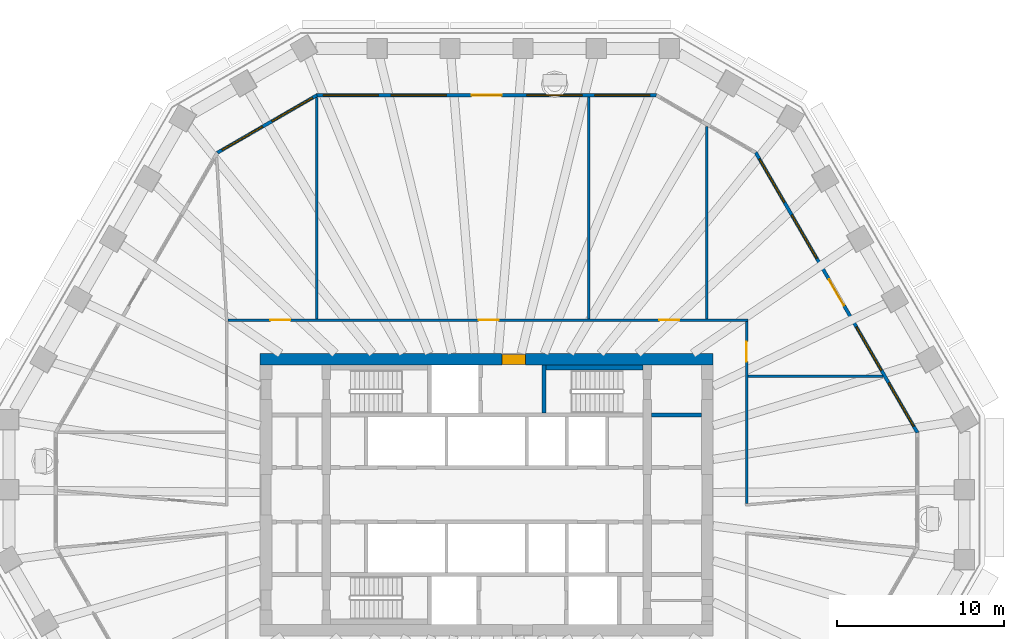
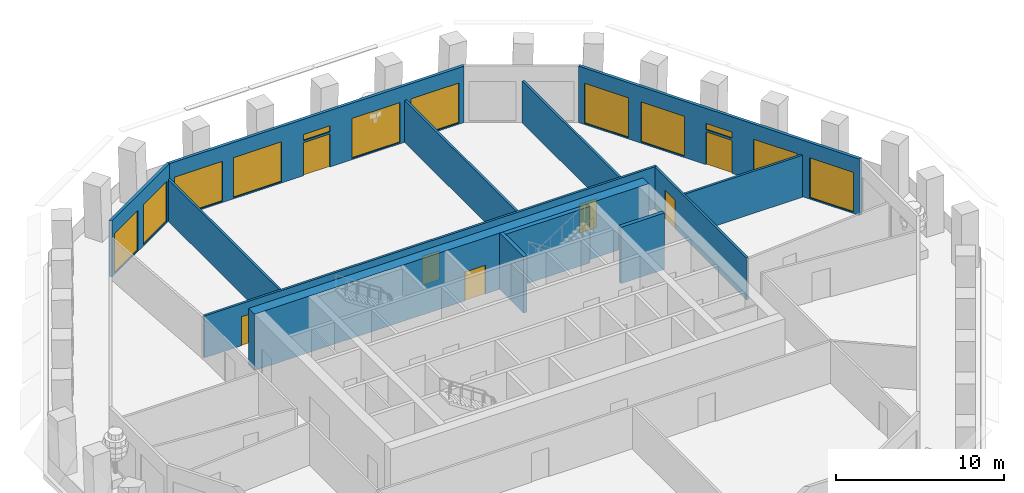
# One storey, part 7 of 12: 13 walls, 12 windows, 7 doors, 19 openings.
"""IFC4 building model written with IfcOpenShell, lengths in metres."""

from ifc_helpers import new_model, si_unit, direction, frame, frame_2d, origin, place, context, subcontext, project, spatial, polyline, rectangle, outline, extrude, material, layer, layer_set, type_object, element, fill, save


model = new_model("IFC4")

# Units and contexts
model_context = context("Model", 3, precision=1e-05, world=origin(), true_north=direction((0.0, 1.0)))
body_context = subcontext(model_context, "Body", "Model", "MODEL_VIEW")
ifc_project = project(units=[si_unit("LENGTHUNIT", "METRE"), si_unit("AREAUNIT", "SQUARE_METRE"), si_unit("VOLUMEUNIT", "CUBIC_METRE"), si_unit("PLANEANGLEUNIT", "RADIAN"), si_unit("MASSUNIT", "GRAM", prefix="KILO")], contexts=[model_context])

# Site, building, storey
site_placement = place(None, origin())
site = spatial("IfcSite", under=ifc_project, at=site_placement, CompositionType="ELEMENT")
building_placement = place(site_placement, origin())
building = spatial("IfcBuilding", under=site, at=building_placement, Name="Frailejon Research Tower", CompositionType="ELEMENT")
storey_placement = place(building_placement, frame((0.0, 0.0, 154.0)))
storey = spatial("IfcBuildingStorey", under=building, at=storey_placement, Name="L33", CompositionType="ELEMENT", Elevation=154.0)

# Wall, opening, door
ifc_material_1 = material(Name="Concrete C60/75", Category="concrete")
ifc_layer_1 = layer(ifc_material_1, 0.699951171875)
ifc_layer_set_1 = layer_set([ifc_layer_1], Name="Core shear wall 700 C60/75")
wall_type_1 = type_object("IfcWallType", Name="Core shear wall 700 C60/75", PredefinedType="SHEAR", material=ifc_layer_set_1)
wall_1_placement = place(storey_placement, frame((-13.550048828125, 8.10009765625, 0.0), z_axis=(0.0, 0.0, 1.0), x_axis=(1.0, 0.0, 0.0)))
wall_1 = element("IfcWall", 1, at=wall_1_placement, inside=storey, type_object=wall_type_1, Name="Core shear wall", PredefinedType="SHEAR", context=body_context, shape_type="SweptSolid", body=[
    extrude(rectangle(XDim=27.10009765625, YDim=0.699951171875, at=frame_2d((13.550048828125, 0.0))), origin(), (0.0, 0.0, 1.0), 4.10009765625),
])
opening_1_placement = place(wall_1_placement, frame((14.47509765625, 0.0, 0.0)))
opening_1 = element("IfcOpeningElement", 2, at=opening_1_placement, cuts=wall_1, Name="Opening D9", PredefinedType="OPENING", context=body_context, shape_type="SweptSolid", body=[
    extrude(rectangle(XDim=1.39990234375, YDim=2.10009765625, at=frame_2d((0.699951171875, 1.050048828125))), frame((0.0, 0.35986328125, 0.0), z_axis=(0.0, -1.0, 0.0), x_axis=(1.0, 0.0, 0.0)), (0.0, 0.0, 1.0), 0.719970703125),
])
ifc_material_2 = material(Name="Steel", Category="steel")
door_type_1 = type_object("IfcDoorType", Name="Goods lobby door", OperationType="DOUBLE_DOOR_SINGLE_SWING", PredefinedType="DOOR", material=ifc_material_2)
door_1_placement = place(opening_1_placement, origin())
door_1 = element("IfcDoor", 3, at=door_1_placement, inside=storey, type_object=door_type_1, Name="Goods lobby door", OperationType="DOUBLE_DOOR_SINGLE_SWING", OverallHeight=2.10009765625, OverallWidth=1.39990234375, PredefinedType="DOOR", context=body_context, shape_type="SweptSolid", body=[
    extrude(rectangle(XDim=1.39990234375, YDim=2.10009765625, at=frame_2d((0.699951171875, 1.050048828125))), frame((0.0, 0.300048828125, 0.0), z_axis=(0.0, -1.0, 0.0), x_axis=(1.0, 0.0, 0.0)), (0.0, 0.0, 1.0), 0.60009765625),
])
fill(opening_1, door_1)

ifc_material_3 = material(Name="Gypsum board and masonry partition", Category="masonry")
ifc_layer_2 = layer(ifc_material_3, 0.14990234375)
ifc_layer_set_2 = layer_set([ifc_layer_2], Name="Corridor wall EI 60, gypsum on steel studs 150")
wall_type_2 = type_object("IfcWallType", Name="Corridor wall EI 60, gypsum on steel studs 150", PredefinedType="PARTITIONING", material=ifc_layer_set_2)
wall_2_placement = place(storey_placement, frame((15.550048828125, -0.530517578125, 0.0), z_axis=(0.0, 0.0, 1.0), x_axis=(0.0, 1.0, 0.0)))
wall_2 = element("IfcWall", 4, at=wall_2_placement, inside=storey, type_object=wall_type_2, Name="T:IW:L33:004", PredefinedType="PARTITIONING", context=body_context, shape_type="SweptSolid", body=[
    extrude(rectangle(XDim=10.905517578125, YDim=0.14990234375, at=frame_2d((5.45263671875, 0.0))), origin(), (0.0, 0.0, 1.0), 3.050048828125),
])
opening_2_placement = place(wall_2_placement, frame((8.48779296875, 0.0, 0.0)))
opening_2 = element("IfcOpeningElement", 5, at=opening_2_placement, cuts=wall_2, Name="Opening D1722", PredefinedType="OPENING", context=body_context, shape_type="SweptSolid", body=[
    extrude(rectangle(XDim=1.199951171875, YDim=2.10009765625, at=frame_2d((0.60009765625, 1.050048828125))), frame((0.0, 0.0849609375, 0.0), z_axis=(0.0, -1.0, 0.0), x_axis=(1.0, 0.0, 0.0)), (0.0, 0.0, 1.0), 0.169921875),
])
ifc_material_4 = material(Name="Timber door leaf", Category="wood")
door_type_2 = type_object("IfcDoorType", Name="Door laboratory, timber, vision panel 1200", OperationType="NOTDEFINED", PredefinedType="DOOR", material=ifc_material_4)
door_2_placement = place(opening_2_placement, origin())
door_2 = element("IfcDoor", 6, at=door_2_placement, inside=storey, type_object=door_type_2, Name="D1722", OperationType="DOUBLE_DOOR_SINGLE_SWING", OverallHeight=2.10009765625, OverallWidth=1.199951171875, PredefinedType="DOOR", context=body_context, shape_type="SweptSolid", body=[
    extrude(rectangle(XDim=1.199951171875, YDim=2.10009765625, at=frame_2d((0.60009765625, 1.050048828125))), frame((0.0, 0.02490234375, 0.0), z_axis=(0.0, -1.0, 0.0), x_axis=(1.0, 0.0, 0.0)), (0.0, 0.0, 1.0), 0.050048828125),
])
fill(opening_2, door_2)

# Wall, openings, doors
wall_3_placement = place(storey_placement, frame((-15.47509765625, 10.449951171875, 0.0), z_axis=(0.0, 0.0, 1.0), x_axis=(1.0, 0.0, 0.0)))
wall_3 = element("IfcWall", 7, at=wall_3_placement, inside=storey, type_object=wall_type_2, Name="T:IW:L33:005", PredefinedType="PARTITIONING", context=body_context, shape_type="SweptSolid", body=[
    extrude(rectangle(XDim=31.10009765625, YDim=0.14990234375, at=frame_2d((15.550048828125, 0.0))), origin(), (0.0, 0.0, 1.0), 3.050048828125),
])
opening_3_placement = place(wall_3_placement, frame((25.80810546875, 0.0, 0.0)))
opening_3 = element("IfcOpeningElement", 8, at=opening_3_placement, cuts=wall_3, Name="Opening D1723", PredefinedType="OPENING", context=body_context, shape_type="SweptSolid", body=[
    extrude(rectangle(XDim=1.199951171875, YDim=2.10009765625, at=frame_2d((0.60009765625, 1.050048828125))), frame((0.0, 0.0849609375, 0.0), z_axis=(0.0, -1.0, 0.0), x_axis=(1.0, 0.0, 0.0)), (0.0, 0.0, 1.0), 0.169921875),
])
opening_4_placement = place(wall_3_placement, frame((14.9970703125, 0.0, 0.0)))
opening_4 = element("IfcOpeningElement", 9, at=opening_4_placement, cuts=wall_3, Name="Opening D1724", PredefinedType="OPENING", context=body_context, shape_type="SweptSolid", body=[
    extrude(rectangle(XDim=1.199951171875, YDim=2.10009765625, at=frame_2d((0.60009765625, 1.050048828125))), frame((0.0, 0.0849609375, 0.0), z_axis=(0.0, -1.0, 0.0), x_axis=(1.0, 0.0, 0.0)), (0.0, 0.0, 1.0), 0.169921875),
])
opening_5_placement = place(wall_3_placement, frame((2.533203125, 0.0, 0.0)))
opening_5 = element("IfcOpeningElement", 10, at=opening_5_placement, cuts=wall_3, Name="Opening D1725", PredefinedType="OPENING", context=body_context, shape_type="SweptSolid", body=[
    extrude(rectangle(XDim=1.199951171875, YDim=2.10009765625, at=frame_2d((0.60009765625, 1.050048828125))), frame((0.0, 0.0849609375, 0.0), z_axis=(0.0, -1.0, 0.0), x_axis=(1.0, 0.0, 0.0)), (0.0, 0.0, 1.0), 0.169921875),
])
door_3_placement = place(opening_3_placement, origin())
door_3 = element("IfcDoor", 11, at=door_3_placement, inside=storey, type_object=door_type_2, Name="D1723", OperationType="DOUBLE_DOOR_SINGLE_SWING", OverallHeight=2.10009765625, OverallWidth=1.199951171875, PredefinedType="DOOR", context=body_context, shape_type="SweptSolid", body=[
    extrude(rectangle(XDim=1.199951171875, YDim=2.10009765625, at=frame_2d((0.60009765625, 1.050048828125))), frame((0.0, 0.02490234375, 0.0), z_axis=(0.0, -1.0, 0.0), x_axis=(1.0, 0.0, 0.0)), (0.0, 0.0, 1.0), 0.050048828125),
])
fill(opening_3, door_3)
door_4_placement = place(opening_4_placement, origin())
door_4 = element("IfcDoor", 12, at=door_4_placement, inside=storey, type_object=door_type_2, Name="D1724", OperationType="DOUBLE_DOOR_SINGLE_SWING", OverallHeight=2.10009765625, OverallWidth=1.199951171875, PredefinedType="DOOR", context=body_context, shape_type="SweptSolid", body=[
    extrude(rectangle(XDim=1.199951171875, YDim=2.10009765625, at=frame_2d((0.60009765625, 1.050048828125))), frame((0.0, 0.02490234375, 0.0), z_axis=(0.0, -1.0, 0.0), x_axis=(1.0, 0.0, 0.0)), (0.0, 0.0, 1.0), 0.050048828125),
])
fill(opening_4, door_4)
door_5_placement = place(opening_5_placement, origin())
door_5 = element("IfcDoor", 13, at=door_5_placement, inside=storey, type_object=door_type_2, Name="D1725", OperationType="DOUBLE_DOOR_SINGLE_SWING", OverallHeight=2.10009765625, OverallWidth=1.199951171875, PredefinedType="DOOR", context=body_context, shape_type="SweptSolid", body=[
    extrude(rectangle(XDim=1.199951171875, YDim=2.10009765625, at=frame_2d((0.60009765625, 1.050048828125))), frame((0.0, 0.02490234375, 0.0), z_axis=(0.0, -1.0, 0.0), x_axis=(1.0, 0.0, 0.0)), (0.0, 0.0, 1.0), 0.050048828125),
])
fill(opening_5, door_5)

# Walls
ifc_material_5 = material(Name="Gypsum board and masonry partition", Category="masonry")
ifc_layer_3 = layer(ifc_material_5, 0.14990234375)
ifc_layer_set_3 = layer_set([ifc_layer_3], Name="Laboratory partition, blockwork 150")
wall_type_3 = type_object("IfcWallType", Name="Laboratory partition, blockwork 150", PredefinedType="PARTITIONING", material=ifc_layer_set_3)
wall_4_placement = place(storey_placement, frame((15.625, 7.099609375, 0.0), z_axis=(0.0, 0.0, 1.0), x_axis=(1.0, 0.0, 0.0)))
element("IfcWall", 14, at=wall_4_placement, inside=storey, type_object=wall_type_3, Name="T:IW:L33:011", PredefinedType="PARTITIONING", context=body_context, shape_type="SweptSolid", body=[
    extrude(rectangle(XDim=8.0771484375, YDim=0.14990234375, at=frame_2d((4.03857421875, 0.0))), origin(), (0.0, 0.0, 1.0), 3.050048828125),
])
wall_5_placement = place(storey_placement, frame((13.17578125, 10.52490234375, 0.0), z_axis=(0.0, 0.0, 1.0), x_axis=(0.0, 1.0, 0.0)))
element("IfcWall", 15, at=wall_5_placement, inside=storey, type_object=wall_type_3, Name="T:IW:L33:012", PredefinedType="PARTITIONING", context=body_context, shape_type="SweptSolid", body=[
    extrude(rectangle(XDim=11.51220703125, YDim=0.14990234375, at=frame_2d((5.756103515625, 0.0))), origin(), (0.0, 0.0, 1.0), 3.050048828125),
])
wall_6_placement = place(storey_placement, frame((6.10546875, 10.52490234375, 0.0), z_axis=(0.0, 0.0, 1.0), x_axis=(0.0, 1.0, 0.0)))
element("IfcWall", 16, at=wall_6_placement, inside=storey, type_object=wall_type_3, Name="T:IW:L33:013", PredefinedType="PARTITIONING", context=body_context, shape_type="SweptSolid", body=[
    extrude(rectangle(XDim=13.275146484375, YDim=0.14990234375, at=frame_2d((6.6376953125, 0.0))), origin(), (0.0, 0.0, 1.0), 3.050048828125),
])
wall_7_placement = place(storey_placement, frame((-10.17578125, 10.52490234375, 0.0), z_axis=(0.0, 0.0, 1.0), x_axis=(0.0, 1.0, 0.0)))
element("IfcWall", 17, at=wall_7_placement, inside=storey, type_object=wall_type_3, Name="T:IW:L33:014", PredefinedType="PARTITIONING", context=body_context, shape_type="SweptSolid", body=[
    extrude(rectangle(XDim=13.244140625, YDim=0.14990234375, at=frame_2d((6.6220703125, 0.0))), origin(), (0.0, 0.0, 1.0), 3.050048828125),
])
ifc_material_6 = material(Name="Concrete C60/75", Category="concrete")
ifc_layer_4 = layer(ifc_material_6, 0.25)
ifc_layer_set_4 = layer_set([ifc_layer_4], Name="Shaft wall 250 C60/75")
wall_type_4 = type_object("IfcWallType", Name="Shaft wall 250 C60/75", PredefinedType="SOLIDWALL", material=ifc_layer_set_4)
wall_8_placement = place(storey_placement, frame((9.85009765625, 4.77490234375, 0.0), z_axis=(0.0, 0.0, 1.0), x_axis=(1.0, 0.0, 0.0)))
element("IfcWall", 18, at=wall_8_placement, inside=storey, type_object=wall_type_4, Name="Shaft wall", PredefinedType="SOLIDWALL", context=body_context, shape_type="SweptSolid", body=[
    extrude(rectangle(XDim=3.0, YDim=0.25, at=frame_2d((1.5, 0.0))), origin(), (0.0, 0.0, 1.0), 4.10009765625),
])
wall_9_placement = place(storey_placement, frame((3.425048828125, 4.89990234375, 0.0), z_axis=(0.0, 0.0, 1.0), x_axis=(0.0, 1.0, 0.0)))
element("IfcWall", 19, at=wall_9_placement, inside=storey, type_object=wall_type_4, Name="Shaft wall", PredefinedType="SOLIDWALL", context=body_context, shape_type="SweptSolid", body=[
    extrude(rectangle(XDim=2.85009765625, YDim=0.25, at=frame_2d((1.425048828125, 0.0))), origin(), (0.0, 0.0, 1.0), 4.10009765625),
])
ifc_material_7 = material(Name="Concrete C60/75", Category="concrete")
ifc_layer_5 = layer(ifc_material_7, 0.300048828125)
ifc_layer_set_5 = layer_set([ifc_layer_5], Name="Shaft wall 300 C60/75")
wall_type_5 = type_object("IfcWallType", Name="Shaft wall 300 C60/75", PredefinedType="SOLIDWALL", material=ifc_layer_set_5)
wall_10_placement = place(storey_placement, frame((3.550048828125, 7.60009765625, 0.0), z_axis=(0.0, 0.0, 1.0), x_axis=(1.0, 0.0, 0.0)))
element("IfcWall", 20, at=wall_10_placement, inside=storey, type_object=wall_type_5, Name="Shaft wall", PredefinedType="SOLIDWALL", context=body_context, shape_type="SweptSolid", body=[
    extrude(rectangle(XDim=5.800048828125, YDim=0.300048828125, at=frame_2d((2.89990234375, 0.0))), origin(), (0.0, 0.0, 1.0), 4.10009765625),
])

# Wall, openings, door, windows
ifc_material_8 = material(Name="Concrete C40/50 precast window wall panel", Category="concrete")
ifc_layer_6 = layer(ifc_material_8, 0.199951171875)
ifc_layer_set_6 = layer_set([ifc_layer_6], Name="Window wall 200")
wall_type_6 = type_object("IfcWallType", Name="Window wall 200", PredefinedType="SOLIDWALL", material=ifc_layer_set_6)
wall_11_placement = place(storey_placement, frame((25.7724609375, 3.7138671875, 0.0), z_axis=(0.0, 0.0, 1.0), x_axis=(-0.500000373815, 0.866025187962, 0.0)))
wall_11 = element("IfcWall", 21, at=wall_11_placement, inside=storey, type_object=wall_type_6, Name="Exterior wall L33", PredefinedType="SOLIDWALL", context=body_context, shape_type="SweptSolid", body=[
    extrude(outline(polyline([(-0.02685546875, -0.10009765625), (0.993896484375, -0.10009765625), (2.0146484375, -0.10009765625), (3.035400390625, -0.10009765625), (4.055908203125, -0.10009765625), (5.07666015625, -0.10009765625), (6.097412109375, -0.10009765625), (7.1181640625, -0.10009765625), (8.138916015625, -0.10009765625), (9.15966796875, -0.10009765625), (10.18017578125, -0.10009765625), (11.200927734375, -0.10009765625), (12.2216796875, -0.10009765625), (13.242431640625, -0.10009765625), (14.26318359375, -0.10009765625), (15.283935546875, -0.10009765625), (16.304443359375, -0.10009765625), (17.3251953125, -0.10009765625), (18.345947265625, -0.10009765625), (19.36669921875, -0.10009765625), (19.31298828125, 0.10009765625), (18.2978515625, 0.10009765625), (17.282958984375, 0.10009765625), (16.267822265625, 0.10009765625), (15.252685546875, 0.10009765625), (14.23779296875, 0.10009765625), (13.22265625, 0.10009765625), (12.20751953125, 0.10009765625), (11.192626953125, 0.10009765625), (10.177490234375, 0.10009765625), (9.162353515625, 0.10009765625), (8.147216796875, 0.10009765625), (7.13232421875, 0.10009765625), (6.1171875, 0.10009765625), (5.10205078125, 0.10009765625), (4.087158203125, 0.10009765625), (3.072021484375, 0.10009765625), (2.056884765625, 0.10009765625), (1.0419921875, 0.10009765625), (0.02685546875, 0.10009765625), (-0.02685546875, -0.10009765625)])), origin(), (0.0, 0.0, 1.0), 4.10009765625),
])
opening_6_placement = place(wall_11_placement, frame((0.43408203125, 0.0, 0.10009765625)))
opening_6 = element("IfcOpeningElement", 22, at=opening_6_placement, cuts=wall_11, Name="Opening W4", PredefinedType="OPENING", context=body_context, shape_type="SweptSolid", body=[
    extrude(rectangle(XDim=3.0, YDim=2.89990234375, at=frame_2d((1.5, 1.449951171875))), frame((0.0, 0.10986328125, 0.0), z_axis=(0.0, -1.0, 0.0), x_axis=(1.0, 0.0, 0.0)), (0.0, 0.0, 1.0), 0.219970703125),
])
opening_7_placement = place(wall_11_placement, frame((4.302001953125, 0.0, 0.10009765625)))
opening_7 = element("IfcOpeningElement", 23, at=opening_7_placement, cuts=wall_11, Name="Opening W4", PredefinedType="OPENING", context=body_context, shape_type="SweptSolid", body=[
    extrude(rectangle(XDim=3.0, YDim=2.89990234375, at=frame_2d((1.5, 1.449951171875))), frame((0.0, 0.10986328125, 0.0), z_axis=(0.0, -1.0, 0.0), x_axis=(1.0, 0.0, 0.0)), (0.0, 0.0, 1.0), 0.219970703125),
])
opening_8_placement = place(wall_11_placement, frame((8.77001953125, 0.0, 0.0)))
opening_8 = element("IfcOpeningElement", 24, at=opening_8_placement, cuts=wall_11, Name="Opening LG33-1", PredefinedType="OPENING", context=body_context, shape_type="SweptSolid", body=[
    extrude(rectangle(XDim=1.800048828125, YDim=2.39990234375, at=frame_2d((0.89990234375, 1.199951171875))), frame((0.0, 0.10986328125, 0.0), z_axis=(0.0, -1.0, 0.0), x_axis=(1.0, 0.0, 0.0)), (0.0, 0.0, 1.0), 0.219970703125),
])
opening_9_placement = place(wall_11_placement, frame((8.77001953125, 0.0, 2.550048828125)))
opening_9 = element("IfcOpeningElement", 25, at=opening_9_placement, cuts=wall_11, Name="Opening W1", PredefinedType="OPENING", context=body_context, shape_type="SweptSolid", body=[
    extrude(rectangle(XDim=1.800048828125, YDim=0.449951171875, at=frame_2d((0.89990234375, 0.22509765625))), frame((0.0, 0.10986328125, 0.0), z_axis=(0.0, -1.0, 0.0), x_axis=(1.0, 0.0, 0.0)), (0.0, 0.0, 1.0), 0.219970703125),
])
opening_10_placement = place(wall_11_placement, frame((12.037841796875, 0.0, 0.10009765625)))
opening_10 = element("IfcOpeningElement", 26, at=opening_10_placement, cuts=wall_11, Name="Opening W4", PredefinedType="OPENING", context=body_context, shape_type="SweptSolid", body=[
    extrude(rectangle(XDim=3.0, YDim=2.89990234375, at=frame_2d((1.5, 1.449951171875))), frame((0.0, 0.10986328125, 0.0), z_axis=(0.0, -1.0, 0.0), x_axis=(1.0, 0.0, 0.0)), (0.0, 0.0, 1.0), 0.219970703125),
])
opening_11_placement = place(wall_11_placement, frame((15.906005859375, 0.0, 0.10009765625)))
opening_11 = element("IfcOpeningElement", 27, at=opening_11_placement, cuts=wall_11, Name="Opening W4", PredefinedType="OPENING", context=body_context, shape_type="SweptSolid", body=[
    extrude(rectangle(XDim=3.0, YDim=2.89990234375, at=frame_2d((1.5, 1.449951171875))), frame((0.0, 0.10986328125, 0.0), z_axis=(0.0, -1.0, 0.0), x_axis=(1.0, 0.0, 0.0)), (0.0, 0.0, 1.0), 0.219970703125),
])
ifc_material_9 = material(Name="Aluminium framed glazed door leaf", Category="aluminium")
door_type_3 = type_object("IfcDoorType", Name="Loggia door 1800x2400", OperationType="DOUBLE_DOOR_SINGLE_SWING", PredefinedType="DOOR", material=ifc_material_9)
door_6_placement = place(opening_8_placement, origin())
door_6 = element("IfcDoor", 28, at=door_6_placement, inside=storey, type_object=door_type_3, Name="Door LG33-1", OperationType="DOUBLE_DOOR_SINGLE_SWING", OverallHeight=2.39990234375, OverallWidth=1.800048828125, PredefinedType="DOOR", context=body_context, shape_type="SweptSolid", body=[
    extrude(rectangle(XDim=1.800048828125, YDim=2.39990234375, at=frame_2d((0.89990234375, 1.199951171875))), frame((0.0, 0.02490234375, 0.0), z_axis=(0.0, -1.0, 0.0), x_axis=(1.0, 0.0, 0.0)), (0.0, 0.0, 1.0), 0.050048828125),
])
fill(opening_8, door_6)
ifc_material_10 = material(Name="Aluminium framed double glazing", Category="aluminium")
window_type_1 = type_object("IfcWindowType", Name="Window 1800x450", PartitioningType="SINGLE_PANEL", PredefinedType="WINDOW", material=ifc_material_10)
window_1_placement = place(opening_9_placement, origin())
window_1 = element("IfcWindow", 29, at=window_1_placement, inside=storey, type_object=window_type_1, Name="Window L33", OverallHeight=0.449951171875, OverallWidth=1.800048828125, PartitioningType="SINGLE_PANEL", PredefinedType="WINDOW", context=body_context, shape_type="SweptSolid", body=[
    extrude(rectangle(XDim=1.800048828125, YDim=0.449951171875, at=frame_2d((0.89990234375, 0.22509765625))), frame((0.0, 0.030029296875, 0.0), z_axis=(0.0, -1.0, 0.0), x_axis=(1.0, 0.0, 0.0)), (0.0, 0.0, 1.0), 0.06005859375),
])
fill(opening_9, window_1)
ifc_material_11 = material(Name="Aluminium framed double glazing", Category="aluminium")
window_type_2 = type_object("IfcWindowType", Name="Window 3000x2900", PartitioningType="SINGLE_PANEL", PredefinedType="WINDOW", material=ifc_material_11)
window_2_placement = place(opening_6_placement, origin())
window_2 = element("IfcWindow", 30, at=window_2_placement, inside=storey, type_object=window_type_2, Name="Window L33", OverallHeight=2.89990234375, OverallWidth=3.0, PartitioningType="SINGLE_PANEL", PredefinedType="WINDOW", context=body_context, shape_type="SweptSolid", body=[
    extrude(rectangle(XDim=3.0, YDim=2.89990234375, at=frame_2d((1.5, 1.449951171875))), frame((0.0, 0.030029296875, 0.0), z_axis=(0.0, -1.0, 0.0), x_axis=(1.0, 0.0, 0.0)), (0.0, 0.0, 1.0), 0.06005859375),
])
fill(opening_6, window_2)
window_3_placement = place(opening_7_placement, origin())
window_3 = element("IfcWindow", 31, at=window_3_placement, inside=storey, type_object=window_type_2, Name="Window L33", OverallHeight=2.89990234375, OverallWidth=3.0, PartitioningType="SINGLE_PANEL", PredefinedType="WINDOW", context=body_context, shape_type="SweptSolid", body=[
    extrude(rectangle(XDim=3.0, YDim=2.89990234375, at=frame_2d((1.5, 1.449951171875))), frame((0.0, 0.030029296875, 0.0), z_axis=(0.0, -1.0, 0.0), x_axis=(1.0, 0.0, 0.0)), (0.0, 0.0, 1.0), 0.06005859375),
])
fill(opening_7, window_3)
window_4_placement = place(opening_10_placement, origin())
window_4 = element("IfcWindow", 32, at=window_4_placement, inside=storey, type_object=window_type_2, Name="Window L33", OverallHeight=2.89990234375, OverallWidth=3.0, PartitioningType="SINGLE_PANEL", PredefinedType="WINDOW", context=body_context, shape_type="SweptSolid", body=[
    extrude(rectangle(XDim=3.0, YDim=2.89990234375, at=frame_2d((1.5, 1.449951171875))), frame((0.0, 0.030029296875, 0.0), z_axis=(0.0, -1.0, 0.0), x_axis=(1.0, 0.0, 0.0)), (0.0, 0.0, 1.0), 0.06005859375),
])
fill(opening_10, window_4)
window_5_placement = place(opening_11_placement, origin())
window_5 = element("IfcWindow", 33, at=window_5_placement, inside=storey, type_object=window_type_2, Name="Window L33", OverallHeight=2.89990234375, OverallWidth=3.0, PartitioningType="SINGLE_PANEL", PredefinedType="WINDOW", context=body_context, shape_type="SweptSolid", body=[
    extrude(rectangle(XDim=3.0, YDim=2.89990234375, at=frame_2d((1.5, 1.449951171875))), frame((0.0, 0.030029296875, 0.0), z_axis=(0.0, -1.0, 0.0), x_axis=(1.0, 0.0, 0.0)), (0.0, 0.0, 1.0), 0.06005859375),
])
fill(opening_11, window_5)

wall_12_placement = place(storey_placement, frame((10.14892578125, 23.89990234375, 0.0), z_axis=(0.0, 0.0, 1.0), x_axis=(-1.0, 0.0, 0.0)))
wall_12 = element("IfcWall", 34, at=wall_12_placement, inside=storey, type_object=wall_type_6, Name="Exterior wall L33", PredefinedType="SOLIDWALL", context=body_context, shape_type="SweptSolid", body=[
    extrude(outline(polyline([(-0.02685546875, -0.10009765625), (0.99072265625, -0.10009765625), (2.00830078125, -0.10009765625), (3.02587890625, -0.10009765625), (4.04345703125, -0.10009765625), (5.06103515625, -0.10009765625), (6.07861328125, -0.10009765625), (7.09619140625, -0.10009765625), (8.11376953125, -0.10009765625), (9.13134765625, -0.10009765625), (10.14892578125, -0.10009765625), (11.16650390625, -0.10009765625), (12.18408203125, -0.10009765625), (13.20166015625, -0.10009765625), (14.21923828125, -0.10009765625), (15.23681640625, -0.10009765625), (16.25439453125, -0.10009765625), (17.27197265625, -0.10009765625), (18.28955078125, -0.10009765625), (19.30712890625, -0.10009765625), (20.32470703125, -0.10009765625), (20.27099609375, 0.10009765625), (19.2587890625, 0.10009765625), (18.24658203125, 0.10009765625), (17.234375, 0.10009765625), (16.22216796875, 0.10009765625), (15.2099609375, 0.10009765625), (14.19775390625, 0.10009765625), (13.185546875, 0.10009765625), (12.17333984375, 0.10009765625), (11.1611328125, 0.10009765625), (10.14892578125, 0.10009765625), (9.13671875, 0.10009765625), (8.12451171875, 0.10009765625), (7.1123046875, 0.10009765625), (6.10009765625, 0.10009765625), (5.087890625, 0.10009765625), (4.07568359375, 0.10009765625), (3.0634765625, 0.10009765625), (2.05126953125, 0.10009765625), (1.0390625, 0.10009765625), (0.02685546875, 0.10009765625), (-0.02685546875, -0.10009765625)])), origin(), (0.0, 0.0, 1.0), 4.10009765625),
])
opening_12_placement = place(wall_12_placement, frame((0.3798828125, 0.0, 0.10009765625)))
opening_12 = element("IfcOpeningElement", 35, at=opening_12_placement, cuts=wall_12, Name="Opening W5", PredefinedType="OPENING", context=body_context, shape_type="SweptSolid", body=[
    extrude(rectangle(XDim=3.300048828125, YDim=2.89990234375, at=frame_2d((1.64990234375, 1.449951171875))), frame((0.0, 0.10986328125, 0.0), z_axis=(0.0, -1.0, 0.0), x_axis=(1.0, 0.0, 0.0)), (0.0, 0.0, 1.0), 0.219970703125),
])
opening_13_placement = place(wall_12_placement, frame((4.439453125, 0.0, 0.10009765625)))
opening_13 = element("IfcOpeningElement", 36, at=opening_13_placement, cuts=wall_12, Name="Opening W5", PredefinedType="OPENING", context=body_context, shape_type="SweptSolid", body=[
    extrude(rectangle(XDim=3.300048828125, YDim=2.89990234375, at=frame_2d((1.64990234375, 1.449951171875))), frame((0.0, 0.10986328125, 0.0), z_axis=(0.0, -1.0, 0.0), x_axis=(1.0, 0.0, 0.0)), (0.0, 0.0, 1.0), 0.219970703125),
])
opening_14_placement = place(wall_12_placement, frame((9.248779296875, 0.0, 0.0)))
opening_14 = element("IfcOpeningElement", 37, at=opening_14_placement, cuts=wall_12, Name="Opening LG33-2", PredefinedType="OPENING", context=body_context, shape_type="SweptSolid", body=[
    extrude(rectangle(XDim=1.800048828125, YDim=2.39990234375, at=frame_2d((0.89990234375, 1.199951171875))), frame((0.0, 0.10986328125, 0.0), z_axis=(0.0, -1.0, 0.0), x_axis=(1.0, 0.0, 0.0)), (0.0, 0.0, 1.0), 0.219970703125),
])
opening_15_placement = place(wall_12_placement, frame((9.248779296875, 0.0, 2.550048828125)))
opening_15 = element("IfcOpeningElement", 38, at=opening_15_placement, cuts=wall_12, Name="Opening W1", PredefinedType="OPENING", context=body_context, shape_type="SweptSolid", body=[
    extrude(rectangle(XDim=1.800048828125, YDim=0.449951171875, at=frame_2d((0.89990234375, 0.22509765625))), frame((0.0, 0.10986328125, 0.0), z_axis=(0.0, -1.0, 0.0), x_axis=(1.0, 0.0, 0.0)), (0.0, 0.0, 1.0), 0.219970703125),
])
opening_16_placement = place(wall_12_placement, frame((12.55859375, 0.0, 0.10009765625)))
opening_16 = element("IfcOpeningElement", 39, at=opening_16_placement, cuts=wall_12, Name="Opening W5", PredefinedType="OPENING", context=body_context, shape_type="SweptSolid", body=[
    extrude(rectangle(XDim=3.300048828125, YDim=2.89990234375, at=frame_2d((1.64990234375, 1.449951171875))), frame((0.0, 0.10986328125, 0.0), z_axis=(0.0, -1.0, 0.0), x_axis=(1.0, 0.0, 0.0)), (0.0, 0.0, 1.0), 0.219970703125),
])
opening_17_placement = place(wall_12_placement, frame((16.6181640625, 0.0, 0.10009765625)))
opening_17 = element("IfcOpeningElement", 40, at=opening_17_placement, cuts=wall_12, Name="Opening W5", PredefinedType="OPENING", context=body_context, shape_type="SweptSolid", body=[
    extrude(rectangle(XDim=3.300048828125, YDim=2.89990234375, at=frame_2d((1.64990234375, 1.449951171875))), frame((0.0, 0.10986328125, 0.0), z_axis=(0.0, -1.0, 0.0), x_axis=(1.0, 0.0, 0.0)), (0.0, 0.0, 1.0), 0.219970703125),
])
door_7_placement = place(opening_14_placement, origin())
door_7 = element("IfcDoor", 41, at=door_7_placement, inside=storey, type_object=door_type_3, Name="Door LG33-2", OperationType="DOUBLE_DOOR_SINGLE_SWING", OverallHeight=2.39990234375, OverallWidth=1.800048828125, PredefinedType="DOOR", context=body_context, shape_type="SweptSolid", body=[
    extrude(rectangle(XDim=1.800048828125, YDim=2.39990234375, at=frame_2d((0.89990234375, 1.199951171875))), frame((0.0, 0.02490234375, 0.0), z_axis=(0.0, -1.0, 0.0), x_axis=(1.0, 0.0, 0.0)), (0.0, 0.0, 1.0), 0.050048828125),
])
fill(opening_14, door_7)
window_6_placement = place(opening_15_placement, origin())
window_6 = element("IfcWindow", 42, at=window_6_placement, inside=storey, type_object=window_type_1, Name="Window L33", OverallHeight=0.449951171875, OverallWidth=1.800048828125, PartitioningType="SINGLE_PANEL", PredefinedType="WINDOW", context=body_context, shape_type="SweptSolid", body=[
    extrude(rectangle(XDim=1.800048828125, YDim=0.449951171875, at=frame_2d((0.89990234375, 0.22509765625))), frame((0.0, 0.030029296875, 0.0), z_axis=(0.0, -1.0, 0.0), x_axis=(1.0, 0.0, 0.0)), (0.0, 0.0, 1.0), 0.06005859375),
])
fill(opening_15, window_6)
ifc_material_12 = material(Name="Aluminium framed double glazing", Category="aluminium")
window_type_3 = type_object("IfcWindowType", Name="Window 3300x2900", PartitioningType="SINGLE_PANEL", PredefinedType="WINDOW", material=ifc_material_12)
window_7_placement = place(opening_12_placement, origin())
window_7 = element("IfcWindow", 43, at=window_7_placement, inside=storey, type_object=window_type_3, Name="Window L33", OverallHeight=2.89990234375, OverallWidth=3.300048828125, PartitioningType="SINGLE_PANEL", PredefinedType="WINDOW", context=body_context, shape_type="SweptSolid", body=[
    extrude(rectangle(XDim=3.300048828125, YDim=2.89990234375, at=frame_2d((1.64990234375, 1.449951171875))), frame((0.0, 0.030029296875, 0.0), z_axis=(0.0, -1.0, 0.0), x_axis=(1.0, 0.0, 0.0)), (0.0, 0.0, 1.0), 0.06005859375),
])
fill(opening_12, window_7)
window_8_placement = place(opening_13_placement, origin())
window_8 = element("IfcWindow", 44, at=window_8_placement, inside=storey, type_object=window_type_3, Name="Window L33", OverallHeight=2.89990234375, OverallWidth=3.300048828125, PartitioningType="SINGLE_PANEL", PredefinedType="WINDOW", context=body_context, shape_type="SweptSolid", body=[
    extrude(rectangle(XDim=3.300048828125, YDim=2.89990234375, at=frame_2d((1.64990234375, 1.449951171875))), frame((0.0, 0.030029296875, 0.0), z_axis=(0.0, -1.0, 0.0), x_axis=(1.0, 0.0, 0.0)), (0.0, 0.0, 1.0), 0.06005859375),
])
fill(opening_13, window_8)
window_9_placement = place(opening_16_placement, origin())
window_9 = element("IfcWindow", 45, at=window_9_placement, inside=storey, type_object=window_type_3, Name="Window L33", OverallHeight=2.89990234375, OverallWidth=3.300048828125, PartitioningType="SINGLE_PANEL", PredefinedType="WINDOW", context=body_context, shape_type="SweptSolid", body=[
    extrude(rectangle(XDim=3.300048828125, YDim=2.89990234375, at=frame_2d((1.64990234375, 1.449951171875))), frame((0.0, 0.030029296875, 0.0), z_axis=(0.0, -1.0, 0.0), x_axis=(1.0, 0.0, 0.0)), (0.0, 0.0, 1.0), 0.06005859375),
])
fill(opening_16, window_9)
window_10_placement = place(opening_17_placement, origin())
window_10 = element("IfcWindow", 46, at=window_10_placement, inside=storey, type_object=window_type_3, Name="Window L33", OverallHeight=2.89990234375, OverallWidth=3.300048828125, PartitioningType="SINGLE_PANEL", PredefinedType="WINDOW", context=body_context, shape_type="SweptSolid", body=[
    extrude(rectangle(XDim=3.300048828125, YDim=2.89990234375, at=frame_2d((1.64990234375, 1.449951171875))), frame((0.0, 0.030029296875, 0.0), z_axis=(0.0, -1.0, 0.0), x_axis=(1.0, 0.0, 0.0)), (0.0, 0.0, 1.0), 0.06005859375),
])
fill(opening_17, window_10)

# Wall, openings, windows
wall_13_placement = place(storey_placement, frame((-10.14892578125, 23.89990234375, 0.0), z_axis=(0.0, 0.0, 1.0), x_axis=(-0.866029458321, -0.49999297727, 0.0)))
wall_13 = element("IfcWall", 47, at=wall_13_placement, inside=storey, type_object=wall_type_6, Name="Exterior wall L33", PredefinedType="SOLIDWALL", context=body_context, shape_type="SweptSolid", body=[
    extrude(outline(polyline([(-0.02685546875, -0.10009765625), (1.1279296875, -0.10009765625), (2.282470703125, -0.10009765625), (3.437255859375, -0.10009765625), (4.592041015625, -0.10009765625), (5.74658203125, -0.10009765625), (6.9013671875, -0.10009765625), (6.84765625, 0.10009765625), (5.7109375, 0.10009765625), (4.573974609375, 0.10009765625), (3.437255859375, 0.10009765625), (2.300537109375, 0.10009765625), (1.16357421875, 0.10009765625), (0.02685546875, 0.10009765625), (-0.02685546875, -0.10009765625)])), origin(), (0.0, 0.0, 1.0), 4.10009765625),
])
opening_18_placement = place(wall_13_placement, frame((0.318603515625, 0.0, 0.10009765625)))
opening_18 = element("IfcOpeningElement", 48, at=opening_18_placement, cuts=wall_13, Name="Opening W3", PredefinedType="OPENING", context=body_context, shape_type="SweptSolid", body=[
    extrude(rectangle(XDim=2.800048828125, YDim=2.89990234375, at=frame_2d((1.39990234375, 1.449951171875))), frame((0.0, 0.10986328125, 0.0), z_axis=(0.0, -1.0, 0.0), x_axis=(1.0, 0.0, 0.0)), (0.0, 0.0, 1.0), 0.219970703125),
])
opening_19_placement = place(wall_13_placement, frame((3.756103515625, 0.0, 0.10009765625)))
opening_19 = element("IfcOpeningElement", 49, at=opening_19_placement, cuts=wall_13, Name="Opening W3", PredefinedType="OPENING", context=body_context, shape_type="SweptSolid", body=[
    extrude(rectangle(XDim=2.800048828125, YDim=2.89990234375, at=frame_2d((1.39990234375, 1.449951171875))), frame((0.0, 0.10986328125, 0.0), z_axis=(0.0, -1.0, 0.0), x_axis=(1.0, 0.0, 0.0)), (0.0, 0.0, 1.0), 0.219970703125),
])
ifc_material_13 = material(Name="Aluminium framed double glazing", Category="aluminium")
window_type_4 = type_object("IfcWindowType", Name="Window 2800x2900", PartitioningType="SINGLE_PANEL", PredefinedType="WINDOW", material=ifc_material_13)
window_11_placement = place(opening_18_placement, origin())
window_11 = element("IfcWindow", 50, at=window_11_placement, inside=storey, type_object=window_type_4, Name="Window L33", OverallHeight=2.89990234375, OverallWidth=2.800048828125, PartitioningType="SINGLE_PANEL", PredefinedType="WINDOW", context=body_context, shape_type="SweptSolid", body=[
    extrude(rectangle(XDim=2.800048828125, YDim=2.89990234375, at=frame_2d((1.39990234375, 1.449951171875))), frame((0.0, 0.030029296875, 0.0), z_axis=(0.0, -1.0, 0.0), x_axis=(1.0, 0.0, 0.0)), (0.0, 0.0, 1.0), 0.06005859375),
])
fill(opening_18, window_11)
window_12_placement = place(opening_19_placement, origin())
window_12 = element("IfcWindow", 51, at=window_12_placement, inside=storey, type_object=window_type_4, Name="Window L33", OverallHeight=2.89990234375, OverallWidth=2.800048828125, PartitioningType="SINGLE_PANEL", PredefinedType="WINDOW", context=body_context, shape_type="SweptSolid", body=[
    extrude(rectangle(XDim=2.800048828125, YDim=2.89990234375, at=frame_2d((1.39990234375, 1.449951171875))), frame((0.0, 0.030029296875, 0.0), z_axis=(0.0, -1.0, 0.0), x_axis=(1.0, 0.0, 0.0)), (0.0, 0.0, 1.0), 0.06005859375),
])
fill(opening_19, window_12)

save(model, "model.ifc")
